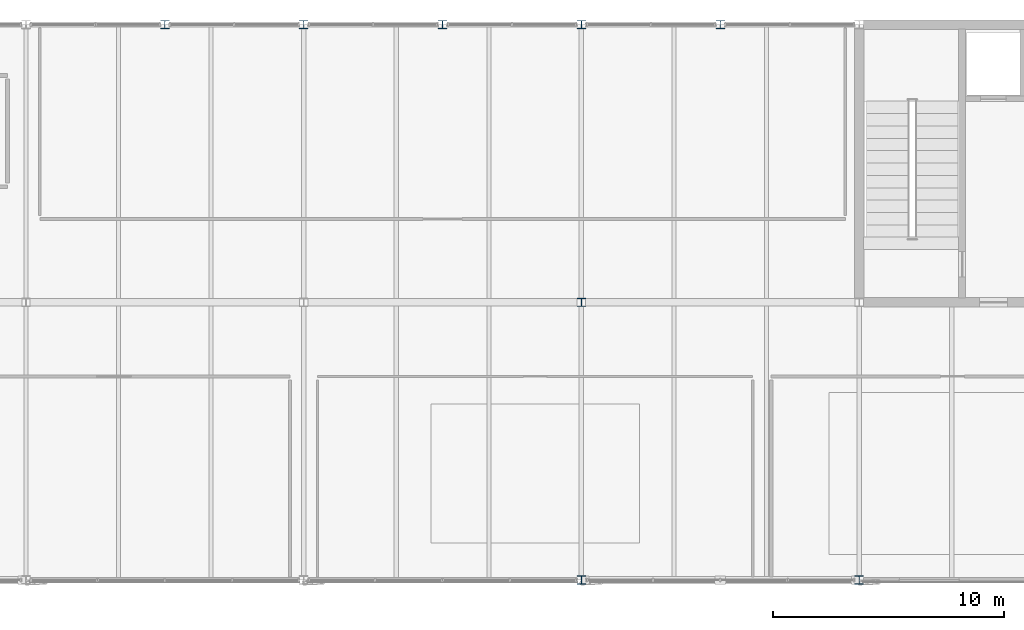
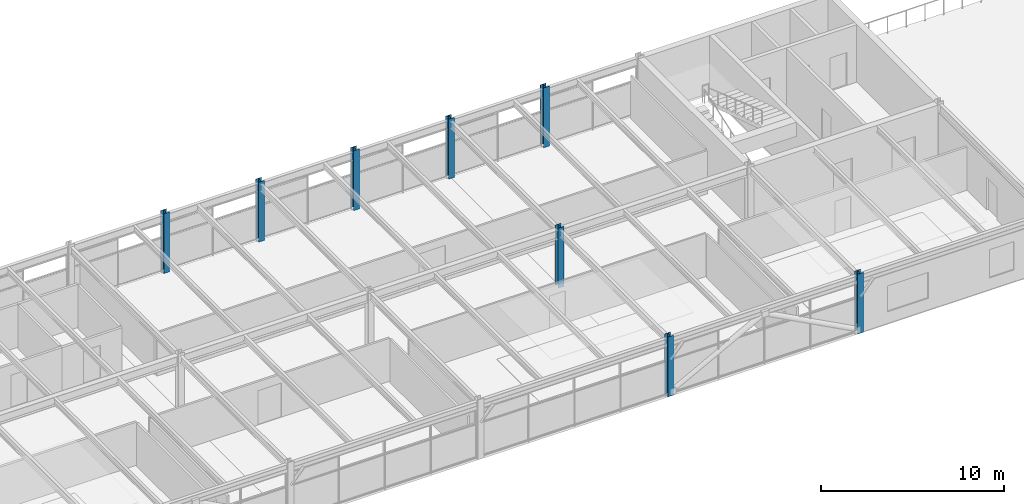
# One storey, part 2 of 32: 8 columns.
"""IFC4 building model written with IfcOpenShell, lengths in metres."""

from ifc_helpers import new_model, si_unit, direction, frame, origin, origin_2d, place, context, subcontext, project, spatial, i_section, extrude, material, material_profile, profile_set, type_object, element, save


model = new_model("IFC4")

# Units and contexts
model_context = context("Model", 3, precision=1e-05, world=origin(), true_north=direction((0.0, 1.0)))
body_context = subcontext(model_context, "Body", "Model", "MODEL_VIEW")
ifc_project = project(units=[si_unit("LENGTHUNIT", "METRE"), si_unit("AREAUNIT", "SQUARE_METRE"), si_unit("VOLUMEUNIT", "CUBIC_METRE"), si_unit("PLANEANGLEUNIT", "RADIAN"), si_unit("MASSUNIT", "GRAM", prefix="KILO")], contexts=[model_context])

# Site, building, storey
site_placement = place(None, origin())
site = spatial("IfcSite", under=ifc_project, at=site_placement, CompositionType="ELEMENT")
building_placement = place(site_placement, origin())
building = spatial("IfcBuilding", under=site, at=building_placement, Name="Girod Span Mobility Hub", CompositionType="ELEMENT")
storey_placement = place(building_placement, frame((0.0, 0.0, 61.60009765625)))
storey = spatial("IfcBuildingStorey", under=building, at=storey_placement, Name="L15", CompositionType="ELEMENT", Elevation=61.60009765625)

# Columns
ifc_material = material(Name="Steel A992 Grade 50", Category="steel")
ifc_material_profile = material_profile(ifc_material, i_section(OverallWidth=0.368896484375, OverallDepth=0.35595703125, WebThickness=0.01123046875, FlangeThickness=0.01806640625, FilletRadius=0.01806640625, at=origin_2d()), Name="W14X90")
ifc_profile_set = profile_set([ifc_material_profile], Name="Steel A992 Grade 50")
column_type = type_object("IfcColumnType", Name="COL-STL-W14X90", PredefinedType="COLUMN", material=ifc_profile_set)
for number, where, z_axis, x_axis, name in (
    (1, (84.0, 69.0, 0.0), (0.0, 0.0, 1.0), (1.0, 0.0, 0.0), "Column 8F L15"),
    (2, (96.0, 45.0, 0.0), (0.0, 0.0, 1.0), (1.0, 0.0, 0.0), "Column 9D L15"),
    (3, (96.0, 57.0, 0.0), (0.0, 0.0, 1.0), (1.0, 0.0, 0.0), "Column 9E L15"),
    (4, (96.0, 69.0, 0.0), (0.0, 0.0, 1.0), (1.0, 0.0, 0.0), "Column 9F L15"),
    (5, (108.0, 45.0, 0.0), (0.0, 0.0, 1.0), (1.0, 0.0, 0.0), "Column 10D L15"),
    (6, (78.0, 69.0, 0.0), (0.0, 0.0, 1.0), (1.0, 0.0, 0.0), "Facade Intermediate Column INT-2 L15"),
    (7, (90.0, 69.0, 0.0), (0.0, 0.0, 1.0), (1.0, 0.0, 0.0), "Facade Intermediate Column INT-3 L15"),
    (8, (102.0, 69.0, 0.0), (0.0, 0.0, 1.0), (1.0, 0.0, 0.0), "Facade Intermediate Column INT-4 L15"),
):
    element("IfcColumn", number, at=place(storey_placement, frame(where, z_axis=z_axis, x_axis=x_axis)), inside=storey, type_object=column_type, Name=name, PredefinedType="COLUMN", context=body_context, shape_type="SweptSolid", body=[
        extrude(i_section(OverallWidth=0.368896484375, OverallDepth=0.35595703125, WebThickness=0.01123046875, FlangeThickness=0.01806640625, FilletRadius=0.01806640625, at=origin_2d()), origin(), (0.0, 0.0, 1.0), 4.0),
    ])

save(model, "model.ifc")
